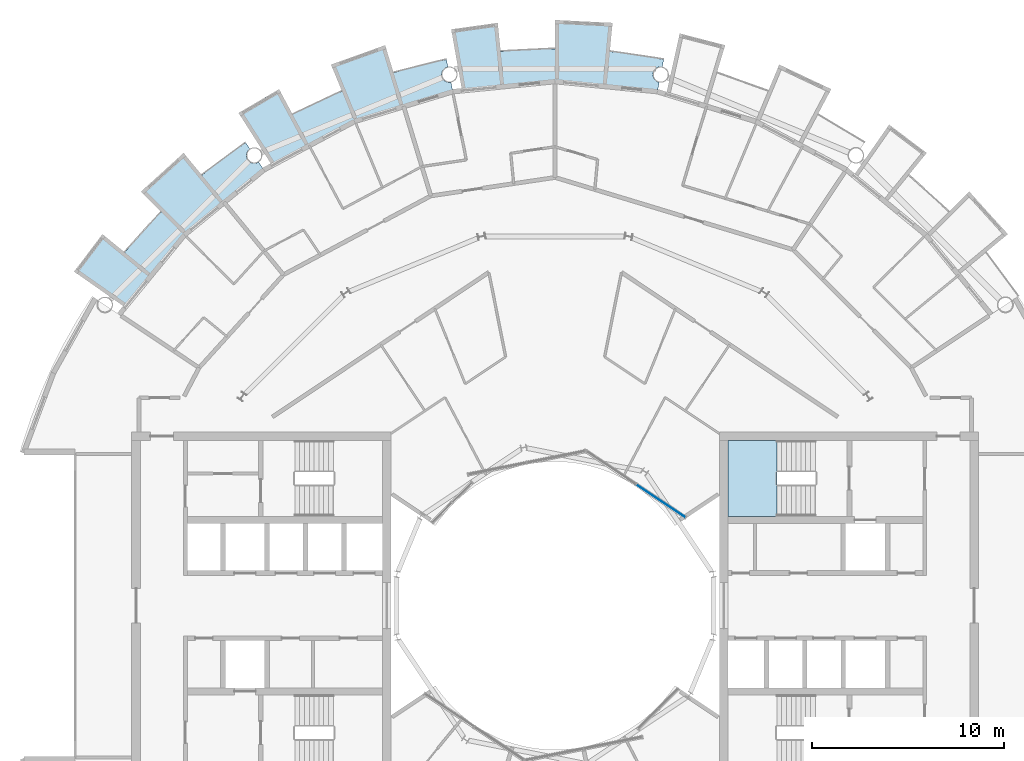
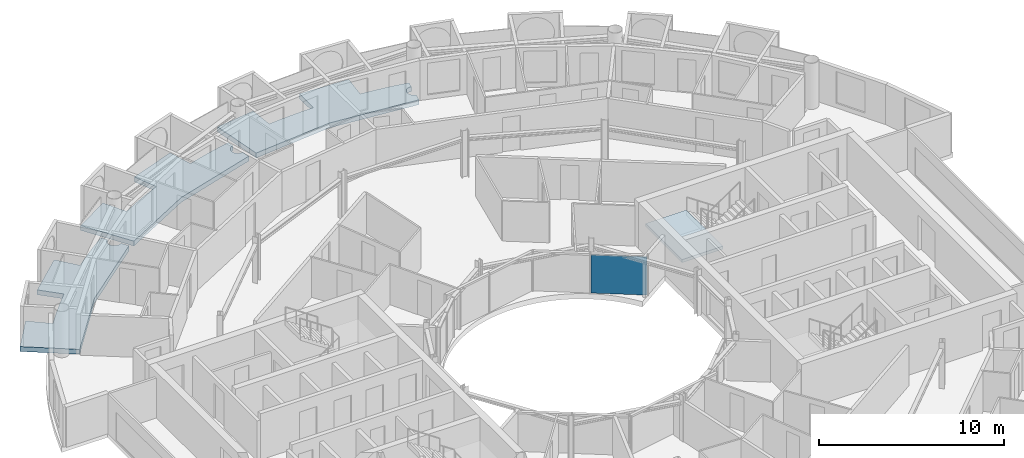
# One storey, part 13 of 28: 4 slabs, 1 plate, 2 elements without a shape of their own.
"""IFC4 building model written with IfcOpenShell, lengths in metres."""

import ifcopenshell
import ifcopenshell.guid

model = None  # the IFC model being written
_history = None  # IfcOwnerHistory: only IFC2X3 demands one
_inside = {}  # id of a spatial element -> (the spatial element, [elements in it])
_under = {}  # id of a project, library or spatial element -> (it, [spatial elements below it])
_declared = {}  # id of a project -> (the project, [libraries it declares])
_typed = {}  # id of a type object -> (the type object, [elements of that type])
_made_of = {}  # id of a material, layer set ... -> (it, [elements and type objects made of it])


def new_model(schema):
    """Start an empty IFC model of exactly this schema.

    Asked for "IFC4X3", IfcOpenShell would pick the latest addendum, in which some entities
    have other attributes; the version numbers below select the first issue.
    IFC2X3 requires an IfcOwnerHistory on every rooted entity: one is made here for all.
    """
    global model, _history
    if schema == "IFC4X3":
        model = ifcopenshell.file(schema_version=(4, 3, 0, 0))
    else:
        model = ifcopenshell.file(schema=schema)
    _inside.clear()
    _under.clear()
    _declared.clear()
    _typed.clear()
    _made_of.clear()
    _history = None
    if model.schema == "IFC2X3":
        org = make("IfcOrganization", Name="unknown")
        user = make(
            "IfcPersonAndOrganization",
            ThePerson=make("IfcPerson", FamilyName="unknown"),
            TheOrganization=org,
        )
        app = make(
            "IfcApplication",
            ApplicationDeveloper=org,
            Version="unknown",
            ApplicationFullName="unknown",
            ApplicationIdentifier="unknown",
        )
        _history = make(
            "IfcOwnerHistory",
            OwningUser=user,
            OwningApplication=app,
            ChangeAction="ADDED",
            CreationDate=0,
        )
    return model


def make(cls, **values):
    """One entity of the class cls with the attributes given. An attribute that is None is left unset."""
    return model.create_entity(
        cls, **{name: value for name, value in values.items() if value is not None}
    )


def rooted(cls, **values):
    """An entity with a GlobalId (a new one), such as an element, a storey or a relation."""
    return make(cls, GlobalId=ifcopenshell.guid.new(), OwnerHistory=_history, **values)


def si_unit(unit_type, name, prefix=None):
    """IfcSIUnit, for example si_unit("LENGTHUNIT", "METRE", prefix="MILLI")."""
    return make("IfcSIUnit", UnitType=unit_type, Prefix=prefix, Name=name)


def assignment(units):
    """IfcUnitAssignment: the units of a project."""
    return None if units is None else make("IfcUnitAssignment", Units=units)


def point(xyz):
    """IfcCartesianPoint."""
    return None if xyz is None else make("IfcCartesianPoint", Coordinates=xyz)


def direction(xyz):
    """IfcDirection."""
    return None if xyz is None else make("IfcDirection", DirectionRatios=xyz)


def frame(location, z_axis=None, x_axis=None):
    """IfcAxis2Placement3D, a coordinate frame: its origin and axes. An axis left out is left unset."""
    return make(
        "IfcAxis2Placement3D",
        Location=point(location),
        Axis=direction(z_axis),
        RefDirection=direction(x_axis),
    )


def frame_2d(location, x_axis=None):
    """IfcAxis2Placement2D, a coordinate frame in the plane: its origin and x axis."""
    return make(
        "IfcAxis2Placement2D", Location=point(location), RefDirection=direction(x_axis)
    )


def origin():
    """The frame at (0, 0, 0) with its axes left unset."""
    return frame((0.0, 0.0, 0.0))


def origin_2d():
    """The frame at (0, 0) in the plane with its x axis left unset."""
    return frame_2d((0.0, 0.0))


def place(relative_to, where):
    """IfcLocalPlacement: puts the frame where relative to a parent placement (None: the world)."""
    return make(
        "IfcLocalPlacement", PlacementRelTo=relative_to, RelativePlacement=where
    )


def context(
    kind, dimensions, precision=None, world=None, true_north=None, identifier=None
):
    """IfcGeometricRepresentationContext, for example the 3D "Model" context."""
    return make(
        "IfcGeometricRepresentationContext",
        ContextIdentifier=identifier,
        ContextType=kind,
        CoordinateSpaceDimension=dimensions,
        Precision=precision,
        WorldCoordinateSystem=world,
        TrueNorth=true_north,
    )


def subcontext(parent, identifier, kind, view, scale=None):
    """IfcGeometricRepresentationSubContext, for example "Body" below "Model"."""
    return make(
        "IfcGeometricRepresentationSubContext",
        ContextIdentifier=identifier,
        ContextType=kind,
        ParentContext=parent,
        TargetScale=scale,
        TargetView=view,
    )


def project(units=None, contexts=None):
    """IfcProject with its units and contexts."""
    return rooted(
        "IfcProject",
        Name="project",
        RepresentationContexts=contexts,
        UnitsInContext=assignment(units),
    )


def spatial(cls, under=None, at=None, **own):
    """A site, building, storey or space (cls), placed at a placement, below another one or the project."""
    s = rooted(cls, ObjectPlacement=at, **own)
    if under is not None:
        _under.setdefault(under.id(), (under, []))[1].append(s)
    return s


def polyline(points):
    """IfcPolyline through the points."""
    return make("IfcPolyline", Points=[point(p) for p in points])


def profile(cls, at=None, kind="AREA", **sizes):
    """A parametric profile (cls). Its sizes go by their IFC names, for example OverallWidth=200.0."""
    return make(cls, ProfileType=kind, Position=at, **sizes)


def rectangle(**sizes):
    """IfcRectangleProfileDef."""
    return profile("IfcRectangleProfileDef", **sizes)


def outline(outer, holes=None, kind="AREA"):
    """IfcArbitraryClosedProfileDef: a profile drawn as a closed curve; with holes, ...WithVoids."""
    if holes is None:
        return make("IfcArbitraryClosedProfileDef", ProfileType=kind, OuterCurve=outer)
    return make(
        "IfcArbitraryProfileDefWithVoids",
        ProfileType=kind,
        OuterCurve=outer,
        InnerCurves=holes,
    )


def extrude(swept, where, along, depth):
    """IfcExtrudedAreaSolid: the profile swept, set in the frame where, extruded along a direction by depth."""
    return make(
        "IfcExtrudedAreaSolid",
        SweptArea=swept,
        Position=where,
        ExtrudedDirection=direction(along),
        Depth=depth,
    )


def shape(context_of_items, identifier, shape_type, items):
    """IfcShapeRepresentation: the items that make up one representation, for example the "Body"."""
    return make(
        "IfcShapeRepresentation",
        ContextOfItems=context_of_items,
        RepresentationIdentifier=identifier,
        RepresentationType=shape_type,
        Items=items,
    )


def material(Name=None, Category=None):
    """IfcMaterial."""
    return make("IfcMaterial", Name=Name, Category=Category)


def layer(
    of_material, thickness, ventilated=None, Name=None, Category=None, Priority=None
):
    """IfcMaterialLayer: one layer of a wall or slab, of a material (None: an air gap)."""
    return make(
        "IfcMaterialLayer",
        Material=of_material,
        LayerThickness=thickness,
        IsVentilated=ventilated,
        Name=Name,
        Category=Category,
        Priority=Priority,
    )


def layer_set(layers, Name=None):
    """IfcMaterialLayerSet."""
    return make("IfcMaterialLayerSet", MaterialLayers=layers, LayerSetName=Name)


def made_of(thing, what):
    """Note that an element or type object is made of a material, layer set ...; save() writes the relation."""
    if what is not None:
        _made_of.setdefault(what.id(), (what, []))[1].append(thing)
    return thing


def type_object(cls, material=None, **own):
    """A type object (cls), such as IfcWallType, which elements share."""
    return made_of(rooted(cls, **own), material)


def element(
    cls,
    number,
    at=None,
    inside=None,
    cuts=None,
    type_object=None,
    material=None,
    context=None,
    identifier="Body",
    shape_type=None,
    held_by="IfcProductDefinitionShape",
    body=None,
    shapes=None,
    **own,
):
    """One element of the class cls, such as IfcWall. Its Tag is "e" and its number.

    at: its placement. inside: the storey or other place that contains it. cuts: it is an
    opening in that element (IfcRelVoidsElement). A single representation is given by context,
    identifier, shape_type and body (its items); several are given by shapes. held_by: the class
    of the entity that holds the representations. save() writes the other relations.
    """
    e = rooted(cls, Tag="e%d" % number, ObjectPlacement=at, **own)
    if body is not None:
        shapes = [shape(context, identifier, shape_type, body)]
    if shapes is not None:
        e.Representation = make(held_by, Representations=shapes)
    if inside is not None:
        _inside.setdefault(inside.id(), (inside, []))[1].append(e)
    if cuts is not None:
        rooted(
            "IfcRelVoidsElement", RelatingBuildingElement=cuts, RelatedOpeningElement=e
        )
    if type_object is not None:
        _typed.setdefault(type_object.id(), (type_object, []))[1].append(e)
    return made_of(e, material)


def aggregate(whole, parts):
    """IfcRelAggregates: a whole, such as a stair, and the parts it consists of."""
    return rooted("IfcRelAggregates", RelatingObject=whole, RelatedObjects=parts)


def save(model, path):
    """Write the relations noted so far, then the file.

    IfcRelAggregates (storeys below a building ...), IfcRelContainedInSpatialStructure (elements
    in a storey), IfcRelDefinesByType, IfcRelAssociatesMaterial and IfcRelDeclares: one each for
    every whole, place, type object, material and project.
    """
    for whole, parts in _under.values():
        aggregate(whole, parts)
    for where, things in _inside.values():
        rooted(
            "IfcRelContainedInSpatialStructure",
            RelatedElements=things,
            RelatingStructure=where,
        )
    for kind, things in _typed.values():
        rooted("IfcRelDefinesByType", RelatedObjects=things, RelatingType=kind)
    for what, things in _made_of.values():
        rooted("IfcRelAssociatesMaterial", RelatedObjects=things, RelatingMaterial=what)
    for by, libraries in _declared.values():
        rooted("IfcRelDeclares", RelatingContext=by, RelatedDefinitions=libraries)
    model.write(path)


model = new_model("IFC4")

# Units and contexts
model_context = context("Model", 3, precision=1e-05, world=origin(), true_north=direction((0.0, 1.0)))
body_context = subcontext(model_context, "Body", "Model", "MODEL_VIEW")
ifc_project = project(units=[si_unit("LENGTHUNIT", "METRE"), si_unit("AREAUNIT", "SQUARE_METRE"), si_unit("VOLUMEUNIT", "CUBIC_METRE"), si_unit("PLANEANGLEUNIT", "RADIAN"), si_unit("MASSUNIT", "GRAM", prefix="KILO")], contexts=[model_context])

# Site, building, storey
site_placement = place(None, origin())
site = spatial("IfcSite", under=ifc_project, at=site_placement, CompositionType="ELEMENT")
building_placement = place(site_placement, origin())
building = spatial("IfcBuilding", under=site, at=building_placement, Name="Maasbend Ring Residences", CompositionType="ELEMENT")
storey_placement = place(building_placement, frame((0.0, 0.0, 218.800048828125)))
storey = spatial("IfcBuildingStorey", under=building, at=storey_placement, Name="L63", CompositionType="ELEMENT", Elevation=218.800048828125)

# Stair, slab
ifc_material_1 = material(Name="Concrete C40/50", Category="concrete")
stair_type = type_object("IfcStairType", Name="CORE STAIR 18 RISERS", PredefinedType="HALF_TURN_STAIR", material=ifc_material_1)
stair_placement = place(storey_placement, origin())
stair = element("IfcStair", 1, at=stair_placement, inside=storey, type_object=stair_type, Name="L63 Exit stair ST-E1", PredefinedType="HALF_TURN_STAIR")
ifc_material_2 = material(Name="Concrete C40/50", Category="concrete")
ifc_layer_1 = layer(ifc_material_2, 0.199951171875)
ifc_layer_set_1 = layer_set([ifc_layer_1], Name="Concrete C40/50")
slab_type_1 = type_object("IfcSlabType", Name="CORE STAIR LANDING 200", PredefinedType="LANDING", material=ifc_layer_set_1)
slab_1_placement = place(storey_placement, frame((0.0, 0.0, 1.324951171875)))
slab_1 = element("IfcSlab", 2, at=slab_1_placement, type_object=slab_type_1, Name="ST-E1 landing 1", PredefinedType="LANDING", context=body_context, shape_type="SweptSolid", body=[
    extrude(outline(polyline([(11.550048828125, 8.60009765625), (9.0, 8.60009765625), (9.0, 4.64990234375), (11.550048828125, 4.64990234375), (11.550048828125, 8.60009765625)])), origin(), (0.0, 0.0, 1.0), 0.199951171875),
])
aggregate(stair, [slab_1])

# Curtain wall, plate
ifc_material_3 = material(Name="Aluminium and clear glass", Category="aluminium")
ifc_layer_2 = layer(ifc_material_3, 0.179931640625)
ifc_layer_set_2 = layer_set([ifc_layer_2], Name="CW-W")
curtain_wall_type = type_object("IfcCurtainWallType", Name="CW-W", PredefinedType="NOTDEFINED", material=ifc_layer_set_2)
curtain_wall_placement = place(storey_placement, origin())
curtain_wall = element("IfcCurtainWall", 3, at=curtain_wall_placement, inside=storey, type_object=curtain_wall_type, Name="Well curtain wall N1", PredefinedType="NOTDEFINED")
ifc_material_4 = material(Name="Glass clear laminated", Category="glass")
ifc_layer_3 = layer(ifc_material_4, 0.031982421875)
ifc_layer_set_3 = layer_set([ifc_layer_3], Name="CWP-W")
plate_type = type_object("IfcPlateType", Name="CWP-W", PredefinedType="CURTAIN_PANEL", material=ifc_layer_set_3)
plate_placement = place(storey_placement, frame((5.51123046875, 5.44580078125, 0.0), z_axis=(0.0, 0.0, 1.0), x_axis=(-0.831469612303, 0.55557023302, 0.0)))
plate = element("IfcPlate", 4, at=plate_placement, type_object=plate_type, Name="Glass panel well face", PredefinedType="CURTAIN_PANEL", context=body_context, shape_type="SweptSolid", body=[
    extrude(rectangle(XDim=3.053955078125, YDim=0.031982421875, at=origin_2d()), origin(), (0.0, 0.0, 1.0), 2.530029296875),
])
aggregate(curtain_wall, [plate])

# Slabs
ifc_material_5 = material(Name="Concrete C40/50", Category="concrete")
ifc_layer_4 = layer(ifc_material_5, 0.199951171875)
ifc_layer_set_4 = layer_set([ifc_layer_4], Name="Concrete C40/50")
slab_type_2 = type_object("IfcSlabType", Name="SL-LOGGIA", PredefinedType="FLOOR", material=ifc_layer_set_4)
slab_2_placement = place(storey_placement, frame((0.0, 0.0, -0.35009765625)))
element("IfcSlab", 5, at=slab_2_placement, inside=storey, type_object=slab_type_2, Name="Loggia floor 2", PredefinedType="FLOOR", context=body_context, shape_type="SweptSolid", body=[
    extrude(outline(polyline([(-13.6708984375, 25.575927734375), (-13.6708984375, 25.575927734375), (-13.6708984375, 25.575927734375), (-13.6708984375, 25.575927734375), (-13.6708984375, 25.575927734375), (-13.6708984375, 25.575927734375), (-13.6708984375, 25.575927734375), (-13.669921875, 25.575927734375), (-13.669921875, 25.575927734375), (-13.669921875, 25.575927734375), (-13.669921875, 25.575927734375), (-13.669921875, 25.575927734375), (-13.669921875, 25.575927734375), (-13.669921875, 25.575927734375), (-13.669921875, 25.575927734375), (-13.669921875, 25.575927734375), (-13.669921875, 25.575927734375), (-12.825927734375, 26.009033203125), (-12.825927734375, 26.009033203125), (-11.968994140625, 26.4150390625), (-11.968994140625, 26.4150390625), (-11.097900390625, 26.7919921875), (-11.097900390625, 26.7919921875), (-11.097900390625, 26.7919921875), (-11.097900390625, 26.7919921875), (-11.097900390625, 26.7919921875), (-11.097900390625, 26.7919921875), (-11.097900390625, 26.7919921875), (-11.097900390625, 26.79296875), (-11.097900390625, 26.79296875), (-11.097900390625, 26.79296875), (-11.097900390625, 26.79296875), (-11.097900390625, 26.79296875), (-11.097900390625, 26.79296875), (-11.097900390625, 26.79296875), (-11.097900390625, 26.79296875), (-11.097900390625, 26.79296875), (-11.097900390625, 26.79296875), (-11.672119140625, 28.177978515625), (-11.672119140625, 28.177978515625), (-11.672119140625, 28.177978515625), (-8.85400390625, 29.18701171875), (-8.85400390625, 29.18701171875), (-8.85400390625, 29.18701171875), (-8.41796875, 27.751953125), (-8.41796875, 27.751953125), (-8.41796875, 27.751953125), (-8.41796875, 27.751953125), (-8.41796875, 27.751953125), (-8.41796875, 27.751953125), (-8.41796875, 27.751953125), (-8.41796875, 27.7509765625), (-8.41796875, 27.7509765625), (-8.41796875, 27.7509765625), (-8.41796875, 27.7509765625), (-8.41796875, 27.7509765625), (-8.41796875, 27.7509765625), (-8.41796875, 27.7509765625), (-8.41796875, 27.7509765625), (-8.41796875, 27.7509765625), (-8.41796875, 27.7509765625), (-7.506103515625, 28.011962890625), (-7.506103515625, 28.011962890625), (-6.5849609375, 28.241943359375), (-6.5849609375, 28.241943359375), (-5.657958984375, 28.443115234375), (-5.657958984375, 28.443115234375), (-5.657958984375, 28.443115234375), (-5.5810546875, 28.056884765625), (-5.591064453125, 28.054931640625), (-5.60009765625, 28.052001953125), (-5.610107421875, 28.050048828125), (-5.6201171875, 28.047119140625), (-5.62890625, 28.0439453125), (-5.637939453125, 28.041015625), (-5.64794921875, 28.037109375), (-5.656982421875, 28.033935546875), (-5.666015625, 28.030029296875), (-5.675048828125, 28.02587890625), (-5.68408203125, 28.02099609375), (-5.693115234375, 28.01708984375), (-5.701904296875, 28.011962890625), (-5.7099609375, 28.007080078125), (-5.718994140625, 28.001953125), (-5.72705078125, 27.99609375), (-5.736083984375, 27.989990234375), (-5.743896484375, 27.985107421875), (-5.751953125, 27.97900390625), (-5.759033203125, 27.971923828125), (-5.76708984375, 27.966064453125), (-5.77392578125, 27.958984375), (-5.781982421875, 27.952880859375), (-5.7890625, 27.946044921875), (-5.7958984375, 27.93798828125), (-5.802978515625, 27.930908203125), (-5.80908203125, 27.924072265625), (-5.81591796875, 27.916015625), (-5.822021484375, 27.907958984375), (-5.827880859375, 27.89990234375), (-5.833984375, 27.89208984375), (-5.839111328125, 27.884033203125), (-5.844970703125, 27.8759765625), (-5.85009765625, 27.866943359375), (-5.85498046875, 27.85791015625), (-5.860107421875, 27.85009765625), (-5.864990234375, 27.841064453125), (-5.868896484375, 27.83203125), (-5.873046875, 27.822998046875), (-5.876953125, 27.81396484375), (-5.881103515625, 27.803955078125), (-5.884033203125, 27.794921875), (-5.886962890625, 27.785888671875), (-5.889892578125, 27.77587890625), (-5.89306640625, 27.76708984375), (-5.89599609375, 27.757080078125), (-5.89794921875, 27.7470703125), (-5.89990234375, 27.737060546875), (-5.902099609375, 27.72802734375), (-5.904052734375, 27.718017578125), (-5.905029296875, 27.7080078125), (-5.906005859375, 27.697998046875), (-5.906982421875, 27.68798828125), (-5.907958984375, 27.677978515625), (-5.907958984375, 27.66796875), (-5.907958984375, 27.657958984375), (-5.907958984375, 27.64794921875), (-5.907958984375, 27.637939453125), (-5.906982421875, 27.6279296875), (-5.906005859375, 27.617919921875), (-5.905029296875, 27.60791015625), (-5.904052734375, 27.597900390625), (-5.902099609375, 27.589111328125), (-5.89990234375, 27.5791015625), (-5.89794921875, 27.569091796875), (-5.89599609375, 27.55908203125), (-5.89306640625, 27.550048828125), (-5.889892578125, 27.5400390625), (-5.886962890625, 27.531005859375), (-5.884033203125, 27.52099609375), (-5.881103515625, 27.511962890625), (-5.876953125, 27.5029296875), (-5.873046875, 27.492919921875), (-5.868896484375, 27.48388671875), (-5.864990234375, 27.47509765625), (-5.860107421875, 27.466064453125), (-5.85498046875, 27.4580078125), (-5.85009765625, 27.448974609375), (-5.844970703125, 27.44091796875), (-5.839111328125, 27.431884765625), (-5.833984375, 27.424072265625), (-5.827880859375, 27.416015625), (-5.822021484375, 27.407958984375), (-5.81591796875, 27.39990234375), (-5.80908203125, 27.39306640625), (-5.802978515625, 27.385009765625), (-5.7958984375, 27.3779296875), (-5.7890625, 27.37109375), (-5.781982421875, 27.364013671875), (-5.77392578125, 27.35693359375), (-5.76708984375, 27.35009765625), (-5.759033203125, 27.343994140625), (-5.751953125, 27.337890625), (-5.743896484375, 27.33203125), (-5.736083984375, 27.325927734375), (-5.72705078125, 27.320068359375), (-5.718994140625, 27.31494140625), (-5.7099609375, 27.30908203125), (-5.701904296875, 27.303955078125), (-5.693115234375, 27.300048828125), (-5.68408203125, 27.294921875), (-5.675048828125, 27.291015625), (-5.666015625, 27.285888671875), (-5.656982421875, 27.282958984375), (-5.64794921875, 27.279052734375), (-5.637939453125, 27.27490234375), (-5.62890625, 27.27197265625), (-5.6201171875, 27.26904296875), (-5.610107421875, 27.26611328125), (-5.60009765625, 27.263916015625), (-5.591064453125, 27.260986328125), (-5.5810546875, 27.259033203125), (-5.571044921875, 27.258056640625), (-5.56103515625, 27.256103515625), (-5.551025390625, 27.2548828125), (-5.541015625, 27.25390625), (-5.531005859375, 27.2529296875), (-5.52099609375, 27.251953125), (-5.510986328125, 27.251953125), (-5.501953125, 27.251953125), (-5.491943359375, 27.251953125), (-5.48193359375, 27.251953125), (-5.471923828125, 27.2529296875), (-5.4619140625, 27.25390625), (-5.451904296875, 27.2548828125), (-5.44189453125, 27.256103515625), (-5.431884765625, 27.258056640625), (-5.422119140625, 27.259033203125), (-5.325927734375, 26.77490234375), (-5.325927734375, 26.77490234375), (-5.325927734375, 26.77490234375), (-7.886962890625, 25.9990234375), (-10.447021484375, 25.221923828125), (-10.447021484375, 25.221923828125), (-10.447021484375, 25.221923828125), (-12.806884765625, 23.9609375), (-14.73291015625, 22.930908203125), (-14.73291015625, 22.930908203125), (-14.73291015625, 22.930908203125), (-16.487060546875, 25.659912109375), (-16.487060546875, 25.659912109375), (-16.487060546875, 25.659912109375), (-14.3779296875, 26.89892578125), (-14.3779296875, 26.89892578125), (-14.3779296875, 26.89892578125), (-13.6708984375, 25.575927734375)])), origin(), (0.0, 0.0, 1.0), 0.320068359375),
])
slab_3_placement = place(storey_placement, frame((0.0, 0.0, -0.35009765625)))
element("IfcSlab", 6, at=slab_3_placement, inside=storey, type_object=slab_type_2, Name="Loggia floor 3", PredefinedType="FLOOR", context=body_context, shape_type="SweptSolid", body=[
    extrude(outline(polyline([(-2.843017578125, 28.861083984375), (-2.843017578125, 28.861083984375), (-2.843017578125, 28.861083984375), (-2.843017578125, 28.861083984375), (-2.842041015625, 28.861083984375), (-2.842041015625, 28.861083984375), (-2.842041015625, 28.861083984375), (-2.842041015625, 28.861083984375), (-2.842041015625, 28.861083984375), (-2.842041015625, 28.860107421875), (-2.842041015625, 28.860107421875), (-2.842041015625, 28.860107421875), (-2.842041015625, 28.860107421875), (-2.842041015625, 28.860107421875), (-2.842041015625, 28.860107421875), (-2.842041015625, 28.860107421875), (-2.842041015625, 28.860107421875), (-1.89697265625, 28.93798828125), (-1.89697265625, 28.93798828125), (-0.948974609375, 28.98388671875), (-0.948974609375, 28.98388671875), (0.0, 29.0), (0.0, 29.0), (0.0, 29.0), (0.0, 29.0), (0.0, 29.0), (0.0, 29.0), (0.0, 29.0), (0.0, 29.0), (0.0, 29.0), (0.0, 29.0), (0.0, 29.0), (0.0, 29.0), (0.0, 29.0), (0.0, 29.0), (0.0, 29.0), (0.0, 29.0), (0.0, 29.0), (0.0, 30.5), (0.0, 30.5), (0.0, 30.5), (2.989990234375, 30.35302734375), (2.989990234375, 30.35302734375), (2.989990234375, 30.35302734375), (2.843017578125, 28.861083984375), (2.843017578125, 28.861083984375), (2.843017578125, 28.861083984375), (2.843017578125, 28.861083984375), (2.843017578125, 28.861083984375), (2.843017578125, 28.861083984375), (2.843017578125, 28.861083984375), (2.843017578125, 28.861083984375), (2.843017578125, 28.860107421875), (2.843017578125, 28.860107421875), (2.843017578125, 28.860107421875), (2.843017578125, 28.860107421875), (2.843017578125, 28.860107421875), (2.843017578125, 28.860107421875), (2.843017578125, 28.860107421875), (2.843017578125, 28.860107421875), (2.843017578125, 28.860107421875), (3.784912109375, 28.751953125), (3.784912109375, 28.751953125), (4.72412109375, 28.613037109375), (4.72412109375, 28.613037109375), (5.657958984375, 28.443115234375), (5.657958984375, 28.443115234375), (5.657958984375, 28.443115234375), (5.5810546875, 28.056884765625), (5.5810546875, 28.056884765625), (5.571044921875, 28.05908203125), (5.56103515625, 28.06005859375), (5.551025390625, 28.06201171875), (5.541015625, 28.06298828125), (5.531005859375, 28.06298828125), (5.52099609375, 28.06396484375), (5.510986328125, 28.06396484375), (5.501953125, 28.06494140625), (5.491943359375, 28.06396484375), (5.48193359375, 28.06396484375), (5.471923828125, 28.06298828125), (5.4619140625, 28.06298828125), (5.451904296875, 28.06201171875), (5.44189453125, 28.06005859375), (5.431884765625, 28.05908203125), (5.422119140625, 28.056884765625), (5.412109375, 28.054931640625), (5.403076171875, 28.052001953125), (5.39306640625, 28.050048828125), (5.383056640625, 28.047119140625), (5.3740234375, 28.0439453125), (5.364990234375, 28.041015625), (5.35498046875, 28.037109375), (5.345947265625, 28.033935546875), (5.3369140625, 28.030029296875), (5.327880859375, 28.02587890625), (5.319091796875, 28.02099609375), (5.31005859375, 28.01708984375), (5.301025390625, 28.011962890625), (5.29296875, 28.007080078125), (5.283935546875, 28.001953125), (5.27587890625, 27.99609375), (5.26708984375, 27.989990234375), (5.259033203125, 27.985107421875), (5.2509765625, 27.97900390625), (5.243896484375, 27.971923828125), (5.236083984375, 27.966064453125), (5.22900390625, 27.958984375), (5.220947265625, 27.952880859375), (5.214111328125, 27.946044921875), (5.20703125, 27.93798828125), (5.199951171875, 27.930908203125), (5.194091796875, 27.924072265625), (5.18701171875, 27.916015625), (5.180908203125, 27.907958984375), (5.175048828125, 27.89990234375), (5.1689453125, 27.89208984375), (5.1640625, 27.884033203125), (5.157958984375, 27.8759765625), (5.153076171875, 27.866943359375), (5.14794921875, 27.85791015625), (5.14306640625, 27.85009765625), (5.137939453125, 27.841064453125), (5.134033203125, 27.83203125), (5.1298828125, 27.822998046875), (5.1259765625, 27.81396484375), (5.1220703125, 27.803955078125), (5.118896484375, 27.794921875), (5.115966796875, 27.785888671875), (5.113037109375, 27.77587890625), (5.110107421875, 27.76708984375), (5.10693359375, 27.757080078125), (5.10498046875, 27.7470703125), (5.10302734375, 27.737060546875), (5.10107421875, 27.72802734375), (5.09912109375, 27.718017578125), (5.097900390625, 27.7080078125), (5.096923828125, 27.697998046875), (5.095947265625, 27.68798828125), (5.094970703125, 27.677978515625), (5.094970703125, 27.66796875), (5.094970703125, 27.657958984375), (5.094970703125, 27.64794921875), (5.094970703125, 27.637939453125), (5.095947265625, 27.6279296875), (5.096923828125, 27.617919921875), (5.097900390625, 27.60791015625), (5.09912109375, 27.597900390625), (5.10107421875, 27.589111328125), (5.10302734375, 27.5791015625), (5.10498046875, 27.569091796875), (5.10693359375, 27.55908203125), (5.110107421875, 27.550048828125), (5.113037109375, 27.5400390625), (5.115966796875, 27.531005859375), (5.118896484375, 27.52099609375), (5.1220703125, 27.511962890625), (5.1259765625, 27.5029296875), (5.1298828125, 27.492919921875), (5.134033203125, 27.48388671875), (5.137939453125, 27.47509765625), (5.14306640625, 27.466064453125), (5.14794921875, 27.4580078125), (5.153076171875, 27.448974609375), (5.157958984375, 27.44091796875), (5.1640625, 27.431884765625), (5.1689453125, 27.424072265625), (5.175048828125, 27.416015625), (5.180908203125, 27.407958984375), (5.18701171875, 27.39990234375), (5.194091796875, 27.39306640625), (5.199951171875, 27.385009765625), (5.20703125, 27.3779296875), (5.214111328125, 27.37109375), (5.220947265625, 27.364013671875), (5.22900390625, 27.35693359375), (5.236083984375, 27.35009765625), (5.243896484375, 27.343994140625), (5.2509765625, 27.337890625), (5.259033203125, 27.33203125), (5.26708984375, 27.325927734375), (5.27587890625, 27.320068359375), (5.283935546875, 27.31494140625), (5.29296875, 27.30908203125), (5.301025390625, 27.303955078125), (5.31005859375, 27.300048828125), (5.319091796875, 27.294921875), (5.327880859375, 27.291015625), (5.3369140625, 27.285888671875), (5.345947265625, 27.282958984375), (5.35498046875, 27.279052734375), (5.364990234375, 27.27490234375), (5.3740234375, 27.27197265625), (5.383056640625, 27.26904296875), (5.39306640625, 27.26611328125), (5.403076171875, 27.263916015625), (5.412109375, 27.260986328125), (5.422119140625, 27.259033203125), (5.422119140625, 27.259033203125), (5.325927734375, 26.77490234375), (5.325927734375, 26.77490234375), (5.325927734375, 26.77490234375), (2.6630859375, 27.0380859375), (0.0, 27.300048828125), (0.0, 27.300048828125), (0.0, 27.300048828125), (-2.6630859375, 27.0380859375), (-4.8359375, 26.823974609375), (-4.8359375, 26.823974609375), (-4.8359375, 26.823974609375), (-5.412109375, 30.01611328125), (-5.412109375, 30.01611328125), (-5.412109375, 30.01611328125), (-2.989990234375, 30.35302734375), (-2.989990234375, 30.35302734375), (-2.989990234375, 30.35302734375), (-2.843017578125, 28.861083984375)])), origin(), (0.0, 0.0, 1.0), 0.320068359375),
])
slab_4_placement = place(storey_placement, frame((0.0, 0.0, -0.35009765625)))
element("IfcSlab", 7, at=slab_4_placement, inside=storey, type_object=slab_type_2, Name="Loggia floor 5", PredefinedType="FLOOR", context=body_context, shape_type="SweptSolid", body=[
    extrude(outline(polyline([(-22.41796875, 18.39794921875), (-22.41796875, 18.39794921875), (-22.41796875, 18.39794921875), (-22.41796875, 18.39794921875), (-22.41796875, 18.39794921875), (-22.4169921875, 18.39794921875), (-22.4169921875, 18.39794921875), (-22.4169921875, 18.39794921875), (-22.4169921875, 18.39794921875), (-22.4169921875, 18.39794921875), (-22.4169921875, 18.39794921875), (-22.4169921875, 18.39794921875), (-22.4169921875, 18.39794921875), (-22.4169921875, 18.39794921875), (-22.4169921875, 18.39794921875), (-22.4169921875, 18.39794921875), (-22.4169921875, 18.39794921875), (-21.802978515625, 19.12109375), (-21.802978515625, 19.12109375), (-21.166015625, 19.823974609375), (-21.166015625, 19.823974609375), (-20.506103515625, 20.506103515625), (-20.506103515625, 20.506103515625), (-20.506103515625, 20.506103515625), (-20.506103515625, 20.506103515625), (-20.506103515625, 20.506103515625), (-20.506103515625, 20.506103515625), (-20.506103515625, 20.506103515625), (-20.506103515625, 20.506103515625), (-20.506103515625, 20.506103515625), (-20.506103515625, 20.506103515625), (-20.506103515625, 20.506103515625), (-20.506103515625, 20.506103515625), (-20.506103515625, 20.506103515625), (-20.506103515625, 20.506103515625), (-20.506103515625, 20.506103515625), (-20.506103515625, 20.506103515625), (-20.506103515625, 20.506103515625), (-21.56689453125, 21.56689453125), (-21.56689453125, 21.56689453125), (-21.56689453125, 21.56689453125), (-19.34912109375, 23.576904296875), (-19.34912109375, 23.576904296875), (-19.34912109375, 23.576904296875), (-18.39794921875, 22.41796875), (-18.39794921875, 22.41796875), (-18.39794921875, 22.41796875), (-18.39794921875, 22.41796875), (-18.39794921875, 22.41796875), (-18.39794921875, 22.41796875), (-18.39697265625, 22.41796875), (-18.39697265625, 22.41796875), (-18.39697265625, 22.41796875), (-18.39697265625, 22.41796875), (-18.39697265625, 22.41796875), (-18.39697265625, 22.41796875), (-18.39697265625, 22.41796875), (-18.39697265625, 22.41796875), (-18.39697265625, 22.41796875), (-18.39697265625, 22.41796875), (-18.39697265625, 22.41796875), (-17.654052734375, 23.007080078125), (-17.654052734375, 23.007080078125), (-16.89208984375, 23.572998046875), (-16.89208984375, 23.572998046875), (-16.112060546875, 24.113037109375), (-16.112060546875, 24.113037109375), (-16.112060546875, 24.113037109375), (-15.89306640625, 23.784912109375), (-15.89306640625, 23.784912109375), (-15.90087890625, 23.780029296875), (-15.908935546875, 23.77392578125), (-15.9169921875, 23.76806640625), (-15.925048828125, 23.761962890625), (-15.93310546875, 23.7548828125), (-15.93994140625, 23.7490234375), (-15.947021484375, 23.741943359375), (-15.955078125, 23.735107421875), (-15.9619140625, 23.72802734375), (-15.968017578125, 23.719970703125), (-15.97509765625, 23.712890625), (-15.98095703125, 23.705078125), (-15.988037109375, 23.697021484375), (-15.993896484375, 23.68994140625), (-15.9990234375, 23.680908203125), (-16.0048828125, 23.673095703125), (-16.010986328125, 23.6650390625), (-16.01611328125, 23.656005859375), (-16.02099609375, 23.64794921875), (-16.02587890625, 23.638916015625), (-16.030029296875, 23.6298828125), (-16.034912109375, 23.62109375), (-16.0390625, 23.612060546875), (-16.04296875, 23.60302734375), (-16.0458984375, 23.593994140625), (-16.050048828125, 23.583984375), (-16.052978515625, 23.574951171875), (-16.055908203125, 23.56494140625), (-16.05908203125, 23.555908203125), (-16.06103515625, 23.5458984375), (-16.06396484375, 23.535888671875), (-16.06591796875, 23.527099609375), (-16.068115234375, 23.51708984375), (-16.069091796875, 23.507080078125), (-16.071044921875, 23.4970703125), (-16.072021484375, 23.487060546875), (-16.072021484375, 23.47705078125), (-16.072998046875, 23.467041015625), (-16.072998046875, 23.45703125), (-16.073974609375, 23.447021484375), (-16.072998046875, 23.43701171875), (-16.072998046875, 23.427001953125), (-16.072021484375, 23.4169921875), (-16.072021484375, 23.407958984375), (-16.071044921875, 23.39794921875), (-16.069091796875, 23.387939453125), (-16.068115234375, 23.3779296875), (-16.06591796875, 23.367919921875), (-16.06396484375, 23.35791015625), (-16.06103515625, 23.34912109375), (-16.05908203125, 23.339111328125), (-16.055908203125, 23.3291015625), (-16.052978515625, 23.320068359375), (-16.050048828125, 23.31005859375), (-16.0458984375, 23.301025390625), (-16.04296875, 23.2919921875), (-16.0390625, 23.282958984375), (-16.034912109375, 23.27392578125), (-16.030029296875, 23.264892578125), (-16.02587890625, 23.256103515625), (-16.02099609375, 23.2470703125), (-16.01611328125, 23.238037109375), (-16.010986328125, 23.22998046875), (-16.0048828125, 23.221923828125), (-15.9990234375, 23.212890625), (-15.993896484375, 23.205078125), (-15.988037109375, 23.197021484375), (-15.98095703125, 23.18994140625), (-15.97509765625, 23.181884765625), (-15.968017578125, 23.174072265625), (-15.9619140625, 23.1669921875), (-15.955078125, 23.159912109375), (-15.947021484375, 23.153076171875), (-15.93994140625, 23.14599609375), (-15.93310546875, 23.139892578125), (-15.925048828125, 23.133056640625), (-15.9169921875, 23.126953125), (-15.908935546875, 23.12109375), (-15.90087890625, 23.114990234375), (-15.89306640625, 23.10888671875), (-15.885009765625, 23.10400390625), (-15.8759765625, 23.09912109375), (-15.866943359375, 23.093994140625), (-15.85888671875, 23.089111328125), (-15.85009765625, 23.083984375), (-15.841064453125, 23.080078125), (-15.83203125, 23.075927734375), (-15.822998046875, 23.072021484375), (-15.81298828125, 23.068115234375), (-15.803955078125, 23.06494140625), (-15.794921875, 23.06103515625), (-15.784912109375, 23.05810546875), (-15.77587890625, 23.055908203125), (-15.76611328125, 23.052978515625), (-15.756103515625, 23.051025390625), (-15.74609375, 23.049072265625), (-15.737060546875, 23.047119140625), (-15.72705078125, 23.044921875), (-15.717041015625, 23.0439453125), (-15.70703125, 23.04296875), (-15.697021484375, 23.0419921875), (-15.68701171875, 23.041015625), (-15.677001953125, 23.041015625), (-15.6669921875, 23.041015625), (-15.656982421875, 23.041015625), (-15.64697265625, 23.041015625), (-15.636962890625, 23.0419921875), (-15.626953125, 23.04296875), (-15.616943359375, 23.0439453125), (-15.60693359375, 23.044921875), (-15.597900390625, 23.047119140625), (-15.587890625, 23.049072265625), (-15.577880859375, 23.051025390625), (-15.568115234375, 23.052978515625), (-15.55908203125, 23.055908203125), (-15.549072265625, 23.05810546875), (-15.5400390625, 23.06103515625), (-15.530029296875, 23.06494140625), (-15.52099609375, 23.068115234375), (-15.511962890625, 23.072021484375), (-15.501953125, 23.075927734375), (-15.492919921875, 23.080078125), (-15.48388671875, 23.083984375), (-15.47509765625, 23.089111328125), (-15.467041015625, 23.093994140625), (-15.4580078125, 23.09912109375), (-15.449951171875, 23.10400390625), (-15.44091796875, 23.10888671875), (-15.44091796875, 23.10888671875), (-15.1669921875, 22.698974609375), (-15.1669921875, 22.698974609375), (-15.1669921875, 22.698974609375), (-17.236083984375, 21.001953125), (-19.303955078125, 19.303955078125), (-19.303955078125, 19.303955078125), (-19.303955078125, 19.303955078125), (-21.001953125, 17.236083984375), (-22.386962890625, 15.547119140625), (-22.386962890625, 15.547119140625), (-22.386962890625, 15.547119140625), (-25.051025390625, 17.39794921875), (-25.051025390625, 17.39794921875), (-25.051025390625, 17.39794921875), (-23.576904296875, 19.34912109375), (-23.576904296875, 19.34912109375), (-23.576904296875, 19.34912109375), (-22.41796875, 18.39794921875)])), origin(), (0.0, 0.0, 1.0), 0.320068359375),
])

save(model, "model.ifc")
